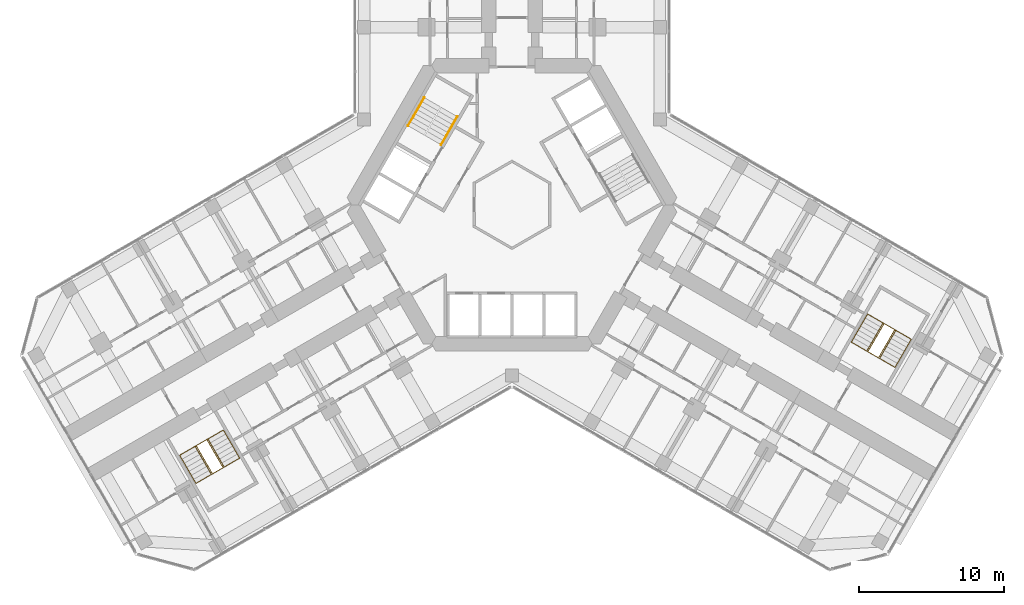
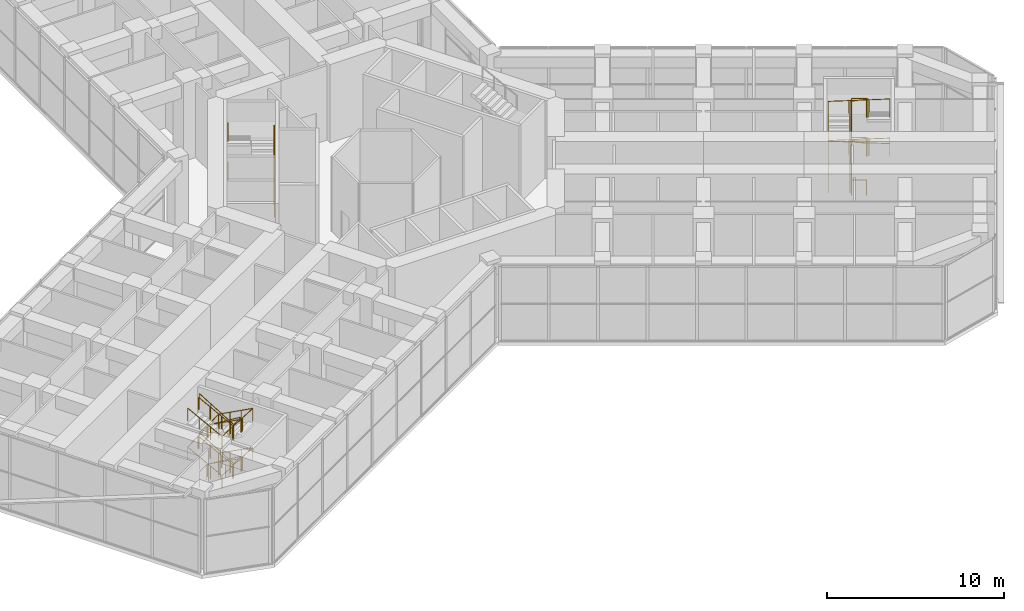
# One storey, part 22 of 23: 10 railings.
"""IFC4 building model written with IfcOpenShell, lengths in metres."""

from ifc_helpers import new_model, si_unit, direction, frame, origin, origin_2d, place, context, subcontext, project, spatial, circle, extrude, material, type_object, element, save


model = new_model("IFC4")

# Units and contexts
model_context = context("Model", 3, precision=1e-05, world=origin(), true_north=direction((0.0, 1.0)))
body_context = subcontext(model_context, "Body", "Model", "MODEL_VIEW")
ifc_project = project(units=[si_unit("LENGTHUNIT", "METRE"), si_unit("AREAUNIT", "SQUARE_METRE"), si_unit("VOLUMEUNIT", "CUBIC_METRE"), si_unit("PLANEANGLEUNIT", "RADIAN"), si_unit("MASSUNIT", "GRAM", prefix="KILO")], contexts=[model_context])

# Site, building, storey
site_placement = place(None, origin())
site = spatial("IfcSite", under=ifc_project, at=site_placement, CompositionType="ELEMENT")
building_placement = place(site_placement, origin())
building = spatial("IfcBuilding", under=site, at=building_placement, Name="Kosmar Iwan School Tower", CompositionType="ELEMENT")
storey_placement = place(building_placement, frame((0.0, 0.0, 75.39990234375)))
storey = spatial("IfcBuildingStorey", under=building, at=storey_placement, Name="L18", CompositionType="ELEMENT", Elevation=75.39990234375)

# Railings
ifc_material_1 = material(Name="Black steel", Category="steel")
railing_type_1 = type_object("IfcRailingType", Name="Stair handrail 900", PredefinedType="HANDRAIL", material=ifc_material_1)
railing_1_placement = place(storey_placement, frame((-4.89453125, 4.142333984375, 0.1689453125)))
element("IfcRailing", 1, at=railing_1_placement, inside=storey, type_object=railing_type_1, Name="Handrail ST2 flight 1", PredefinedType="HANDRAIL", context=body_context, shape_type="SweptSolid", body=[
    extrude(circle(Radius=0.02392578125, at=origin_2d()), frame((0.0, 0.0, 0.8759765625), z_axis=(0.442233264315, 0.766074889524, 0.466432206836), x_axis=(-0.866054910533, 0.49994888933, 0.0)), (0.0, 0.0, 1.0), 2.5322265625),
    extrude(circle(Radius=0.02099609375, at=origin_2d()), origin(), (0.0, 0.0, 1.0), 0.851806640625),
    extrude(circle(Radius=0.02099609375, at=origin_2d()), frame((0.373291015625, 0.646728515625, 0.393798828125)), (0.0, 0.0, 1.0), 0.851806640625),
    extrude(circle(Radius=0.02099609375, at=origin_2d()), frame((0.74658203125, 1.293212890625, 0.787353515625)), (0.0, 0.0, 1.0), 0.851806640625),
    extrude(circle(Radius=0.02099609375, at=origin_2d()), frame((1.119873046875, 1.93994140625, 1.18115234375)), (0.0, 0.0, 1.0), 0.851806640625),
])
railing_2_placement = place(storey_placement, frame((-6.05224609375, 7.397216796875, 1.518798828125)))
element("IfcRailing", 2, at=railing_2_placement, inside=storey, type_object=railing_type_1, Name="Handrail ST2 flight 2", PredefinedType="HANDRAIL", context=body_context, shape_type="SweptSolid", body=[
    extrude(circle(Radius=0.02392578125, at=origin_2d()), frame((0.0, 0.0, 0.8759765625), z_axis=(-0.442290925331, -0.766007779573, 0.466487747968), x_axis=(0.866007717299, -0.500030632641, 0.0)), (0.0, 0.0, 1.0), 2.532470703125),
    extrude(circle(Radius=0.02099609375, at=origin_2d()), origin(), (0.0, 0.0, 1.0), 0.851806640625),
    extrude(circle(Radius=0.02099609375, at=origin_2d()), frame((-0.373291015625, -0.646728515625, 0.393798828125)), (0.0, 0.0, 1.0), 0.851806640625),
    extrude(circle(Radius=0.02099609375, at=origin_2d()), frame((-0.746826171875, -1.293212890625, 0.78759765625)), (0.0, 0.0, 1.0), 0.851806640625),
    extrude(circle(Radius=0.02099609375, at=origin_2d()), frame((-1.1201171875, -1.93994140625, 1.181396484375)), (0.0, 0.0, 1.0), 0.851806640625),
])
railing_3_placement = place(storey_placement, frame((-4.89453125, 4.142333984375, 2.868896484375)))
element("IfcRailing", 3, at=railing_3_placement, inside=storey, type_object=railing_type_1, Name="Handrail ST2 flight 3", PredefinedType="HANDRAIL", context=body_context, shape_type="SweptSolid", body=[
    extrude(circle(Radius=0.02392578125, at=origin_2d()), frame((0.0, 0.0, 0.8759765625), z_axis=(0.442233264315, 0.766074889524, 0.466432206836), x_axis=(-0.866054910533, 0.49994888933, 0.0)), (0.0, 0.0, 1.0), 2.5322265625),
    extrude(circle(Radius=0.02099609375, at=origin_2d()), origin(), (0.0, 0.0, 1.0), 0.851806640625),
    extrude(circle(Radius=0.02099609375, at=origin_2d()), frame((0.373291015625, 0.646728515625, 0.393798828125)), (0.0, 0.0, 1.0), 0.851806640625),
    extrude(circle(Radius=0.02099609375, at=origin_2d()), frame((0.74658203125, 1.293212890625, 0.787353515625)), (0.0, 0.0, 1.0), 0.851806640625),
    extrude(circle(Radius=0.02099609375, at=origin_2d()), frame((1.119873046875, 1.93994140625, 1.18115234375)), (0.0, 0.0, 1.0), 0.851806640625),
])
railing_4_placement = place(storey_placement, frame((-6.05224609375, 7.397216796875, 4.21875)))
element("IfcRailing", 4, at=railing_4_placement, inside=storey, type_object=railing_type_1, Name="Handrail ST2 flight 4", PredefinedType="HANDRAIL", context=body_context, shape_type="SweptSolid", body=[
    extrude(circle(Radius=0.02392578125, at=origin_2d()), frame((0.0, 0.0, 0.8759765625), z_axis=(-0.442290925331, -0.766007779573, 0.466487747968), x_axis=(0.866007717299, -0.500030632641, 0.0)), (0.0, 0.0, 1.0), 2.532470703125),
    extrude(circle(Radius=0.02099609375, at=origin_2d()), origin(), (0.0, 0.0, 1.0), 0.851806640625),
    extrude(circle(Radius=0.02099609375, at=origin_2d()), frame((-0.373291015625, -0.646728515625, 0.393798828125)), (0.0, 0.0, 1.0), 0.851806640625),
    extrude(circle(Radius=0.02099609375, at=origin_2d()), frame((-0.746826171875, -1.293212890625, 0.78759765625)), (0.0, 0.0, 1.0), 0.851806640625),
    extrude(circle(Radius=0.02099609375, at=origin_2d()), frame((-1.1201171875, -1.93994140625, 1.181396484375)), (0.0, 0.0, 1.0), 0.851806640625),
])
railing_5_placement = place(storey_placement, frame((-19.9091796875, -15.5361328125, 0.1689453125)))
element("IfcRailing", 5, at=railing_5_placement, inside=storey, type_object=railing_type_1, Name="Handrail stair WS2 L18 wall side", PredefinedType="HANDRAIL", context=body_context, shape_type="SweptSolid", body=[
    extrude(circle(Radius=0.02392578125, at=origin_2d()), frame((0.0, 0.0, 0.8759765625), z_axis=(0.442233264315, -0.766074889524, 0.466432206836), x_axis=(0.866054910533, 0.49994888933, 0.0)), (0.0, 0.0, 1.0), 2.5322265625),
    extrude(circle(Radius=0.02392578125, at=origin_2d()), frame((1.119873046875, -1.93994140625, 2.05712890625), z_axis=(-0.865003826348, -0.499423385482, 0.048421714518), x_axis=(0.500009906705, -0.86601968407, 0.0)), (0.0, 0.0, 1.0), 3.48388671875),
    extrude(circle(Radius=0.02392578125, at=origin_2d()), frame((-1.893798828125, -3.679931640625, 2.2255859375), z_axis=(-0.442290925331, 0.766007779573, 0.466487747968), x_axis=(-0.866007717299, -0.500030632641, 0.0)), (0.0, 0.0, 1.0), 2.532470703125),
    extrude(circle(Radius=0.02392578125, at=origin_2d()), frame((-3.013916015625, -1.739990234375, 3.4072265625), z_axis=(0.865021467373, 0.499393114457, 0.048418779583), x_axis=(-0.499979528911, 0.866037222451, 0.0)), (0.0, 0.0, 1.0), 3.484130859375),
    extrude(circle(Radius=0.02392578125, at=origin_2d()), frame((0.0, 0.0, 3.57568359375), z_axis=(0.442233264315, -0.766074889524, 0.466432206836), x_axis=(0.866054910533, 0.49994888933, 0.0)), (0.0, 0.0, 1.0), 2.5322265625),
    extrude(circle(Radius=0.02392578125, at=origin_2d()), frame((1.119873046875, -1.93994140625, 4.7568359375), z_axis=(-0.865003826348, -0.499423385482, 0.048421714518), x_axis=(0.500009906705, -0.86601968407, 0.0)), (0.0, 0.0, 1.0), 3.48388671875),
    extrude(circle(Radius=0.02392578125, at=origin_2d()), frame((-1.893798828125, -3.679931640625, 4.92578125), z_axis=(-0.442290925331, 0.766007779573, 0.466487747968), x_axis=(-0.866007717299, -0.500030632641, 0.0)), (0.0, 0.0, 1.0), 2.532470703125),
    extrude(circle(Radius=0.02099609375, at=origin_2d()), origin(), (0.0, 0.0, 1.0), 0.851806640625),
    extrude(circle(Radius=0.02099609375, at=origin_2d()), frame((0.373291015625, -0.646728515625, 0.393798828125)), (0.0, 0.0, 1.0), 0.851806640625),
    extrude(circle(Radius=0.02099609375, at=origin_2d()), frame((0.74658203125, -1.293212890625, 0.787353515625)), (0.0, 0.0, 1.0), 0.851806640625),
    extrude(circle(Radius=0.02099609375, at=origin_2d()), frame((1.119873046875, -1.93994140625, 1.18115234375)), (0.0, 0.0, 1.0), 0.851806640625),
    extrude(circle(Radius=0.02099609375, at=origin_2d()), frame((0.115234375, -2.52001953125, 1.2373046875)), (0.0, 0.0, 1.0), 0.851806640625),
    extrude(circle(Radius=0.02099609375, at=origin_2d()), frame((-0.88916015625, -3.099853515625, 1.293701171875)), (0.0, 0.0, 1.0), 0.851806640625),
    extrude(circle(Radius=0.02099609375, at=origin_2d()), frame((-1.893798828125, -3.679931640625, 1.349853515625)), (0.0, 0.0, 1.0), 0.851806640625),
    extrude(circle(Radius=0.02099609375, at=origin_2d()), frame((-2.26708984375, -3.033203125, 1.74365234375)), (0.0, 0.0, 1.0), 0.851806640625),
    extrude(circle(Radius=0.02099609375, at=origin_2d()), frame((-2.640625, -2.38671875, 2.137451171875)), (0.0, 0.0, 1.0), 0.851806640625),
    extrude(circle(Radius=0.02099609375, at=origin_2d()), frame((-3.013916015625, -1.739990234375, 2.53125)), (0.0, 0.0, 1.0), 0.851806640625),
    extrude(circle(Radius=0.02099609375, at=origin_2d()), frame((-2.00927734375, -1.159912109375, 2.58740234375)), (0.0, 0.0, 1.0), 0.851806640625),
    extrude(circle(Radius=0.02099609375, at=origin_2d()), frame((-1.004638671875, -0.580078125, 2.643798828125)), (0.0, 0.0, 1.0), 0.851806640625),
    extrude(circle(Radius=0.02099609375, at=origin_2d()), frame((0.0, 0.0, 2.699951171875)), (0.0, 0.0, 1.0), 0.851806640625),
    extrude(circle(Radius=0.02099609375, at=origin_2d()), frame((0.373291015625, -0.646728515625, 3.09375)), (0.0, 0.0, 1.0), 0.851806640625),
    extrude(circle(Radius=0.02099609375, at=origin_2d()), frame((0.74658203125, -1.293212890625, 3.4873046875)), (0.0, 0.0, 1.0), 0.851806640625),
    extrude(circle(Radius=0.02099609375, at=origin_2d()), frame((1.119873046875, -1.93994140625, 3.881103515625)), (0.0, 0.0, 1.0), 0.851806640625),
    extrude(circle(Radius=0.02099609375, at=origin_2d()), frame((0.115234375, -2.52001953125, 3.937255859375)), (0.0, 0.0, 1.0), 0.851806640625),
    extrude(circle(Radius=0.02099609375, at=origin_2d()), frame((-0.88916015625, -3.099853515625, 3.99365234375)), (0.0, 0.0, 1.0), 0.851806640625),
    extrude(circle(Radius=0.02099609375, at=origin_2d()), frame((-1.893798828125, -3.679931640625, 4.0498046875)), (0.0, 0.0, 1.0), 0.851806640625),
    extrude(circle(Radius=0.02099609375, at=origin_2d()), frame((-2.26708984375, -3.033203125, 4.443603515625)), (0.0, 0.0, 1.0), 0.851806640625),
    extrude(circle(Radius=0.02099609375, at=origin_2d()), frame((-2.640625, -2.38671875, 4.83740234375)), (0.0, 0.0, 1.0), 0.851806640625),
    extrude(circle(Radius=0.02099609375, at=origin_2d()), frame((-3.013916015625, -1.739990234375, 5.231201171875)), (0.0, 0.0, 1.0), 0.851806640625),
])
railing_6_placement = place(storey_placement, frame((-20.974609375, -16.151123046875, 0.1689453125)))
element("IfcRailing", 6, at=railing_6_placement, inside=storey, type_object=railing_type_1, Name="Handrail stair WS2 L18 well side", PredefinedType="HANDRAIL", context=body_context, shape_type="SweptSolid", body=[
    extrude(circle(Radius=0.02392578125, at=origin_2d()), frame((0.0, 0.0, 0.8759765625), z_axis=(0.442310814531, -0.766042225863, 0.466412319246), x_axis=(0.866007717299, 0.500030632641, 0.0)), (0.0, 0.0, 1.0), 2.532470703125),
    extrude(circle(Radius=0.02392578125, at=origin_2d()), frame((1.1201171875, -1.93994140625, 2.05712890625), z_axis=(-0.854402202795, -0.493323991608, 0.163181846913), x_axis=(0.500026340207, -0.866010195725, 0.0)), (0.0, 0.0, 1.0), 1.033935546875),
    extrude(circle(Radius=0.02392578125, at=origin_2d()), frame((0.23681640625, -2.449951171875, 2.2255859375), z_axis=(-0.442290925331, 0.766007779573, 0.466487747968), x_axis=(-0.866007717299, -0.500030632641, 0.0)), (0.0, 0.0, 1.0), 2.532470703125),
    extrude(circle(Radius=0.02392578125, at=origin_2d()), frame((-0.88330078125, -0.510009765625, 3.4072265625), z_axis=(0.854402202795, 0.493323991608, 0.163181846913), x_axis=(-0.500026340207, 0.866010195725, 0.0)), (0.0, 0.0, 1.0), 1.033935546875),
    extrude(circle(Radius=0.02392578125, at=origin_2d()), frame((0.0, 0.0, 3.57568359375), z_axis=(0.442310814531, -0.766042225863, 0.466412319246), x_axis=(0.866007717299, 0.500030632641, 0.0)), (0.0, 0.0, 1.0), 2.532470703125),
    extrude(circle(Radius=0.02392578125, at=origin_2d()), frame((1.1201171875, -1.93994140625, 4.7568359375), z_axis=(-0.854402202795, -0.493323991608, 0.163181846913), x_axis=(0.500026340207, -0.866010195725, 0.0)), (0.0, 0.0, 1.0), 1.033935546875),
    extrude(circle(Radius=0.02392578125, at=origin_2d()), frame((0.23681640625, -2.449951171875, 4.92578125), z_axis=(-0.442290925331, 0.766007779573, 0.466487747968), x_axis=(-0.866007717299, -0.500030632641, 0.0)), (0.0, 0.0, 1.0), 2.532470703125),
    extrude(circle(Radius=0.02099609375, at=origin_2d()), origin(), (0.0, 0.0, 1.0), 0.851806640625),
    extrude(circle(Radius=0.02099609375, at=origin_2d()), frame((0.373291015625, -0.646728515625, 0.393798828125)), (0.0, 0.0, 1.0), 0.851806640625),
    extrude(circle(Radius=0.02099609375, at=origin_2d()), frame((0.746826171875, -1.293212890625, 0.787353515625)), (0.0, 0.0, 1.0), 0.851806640625),
    extrude(circle(Radius=0.02099609375, at=origin_2d()), frame((1.1201171875, -1.93994140625, 1.18115234375)), (0.0, 0.0, 1.0), 0.851806640625),
    extrude(circle(Radius=0.02099609375, at=origin_2d()), frame((0.23681640625, -2.449951171875, 1.349853515625)), (0.0, 0.0, 1.0), 0.851806640625),
    extrude(circle(Radius=0.02099609375, at=origin_2d()), frame((-0.136474609375, -1.80322265625, 1.74365234375)), (0.0, 0.0, 1.0), 0.851806640625),
    extrude(circle(Radius=0.02099609375, at=origin_2d()), frame((-0.510009765625, -1.15673828125, 2.137451171875)), (0.0, 0.0, 1.0), 0.851806640625),
    extrude(circle(Radius=0.02099609375, at=origin_2d()), frame((-0.88330078125, -0.510009765625, 2.53125)), (0.0, 0.0, 1.0), 0.851806640625),
    extrude(circle(Radius=0.02099609375, at=origin_2d()), frame((0.0, 0.0, 2.699951171875)), (0.0, 0.0, 1.0), 0.851806640625),
    extrude(circle(Radius=0.02099609375, at=origin_2d()), frame((0.373291015625, -0.646728515625, 3.09375)), (0.0, 0.0, 1.0), 0.851806640625),
    extrude(circle(Radius=0.02099609375, at=origin_2d()), frame((0.746826171875, -1.293212890625, 3.4873046875)), (0.0, 0.0, 1.0), 0.851806640625),
    extrude(circle(Radius=0.02099609375, at=origin_2d()), frame((1.1201171875, -1.93994140625, 3.881103515625)), (0.0, 0.0, 1.0), 0.851806640625),
    extrude(circle(Radius=0.02099609375, at=origin_2d()), frame((0.23681640625, -2.449951171875, 4.0498046875)), (0.0, 0.0, 1.0), 0.851806640625),
    extrude(circle(Radius=0.02099609375, at=origin_2d()), frame((-0.136474609375, -1.80322265625, 4.443603515625)), (0.0, 0.0, 1.0), 0.851806640625),
    extrude(circle(Radius=0.02099609375, at=origin_2d()), frame((-0.510009765625, -1.15673828125, 4.83740234375)), (0.0, 0.0, 1.0), 0.851806640625),
    extrude(circle(Radius=0.02099609375, at=origin_2d()), frame((-0.88330078125, -0.510009765625, 5.231201171875)), (0.0, 0.0, 1.0), 0.851806640625),
])
railing_7_placement = place(storey_placement, frame((23.4091796875, -9.473876953125, 0.1689453125)))
element("IfcRailing", 7, at=railing_7_placement, inside=storey, type_object=railing_type_1, Name="Handrail stair WS3 L18 wall side", PredefinedType="HANDRAIL", context=body_context, shape_type="SweptSolid", body=[
    extrude(circle(Radius=0.02392578125, at=origin_2d()), frame((0.0, 0.0, 0.8759765625), z_axis=(0.442310814531, 0.766042225863, 0.466412319246), x_axis=(-0.866007717299, 0.500030632641, 0.0)), (0.0, 0.0, 1.0), 2.532470703125),
    extrude(circle(Radius=0.02392578125, at=origin_2d()), frame((1.1201171875, 1.93994140625, 2.05712890625), z_axis=(0.865003826348, -0.499423385482, 0.048421714518), x_axis=(0.500009906705, 0.86601968407, 0.0)), (0.0, 0.0, 1.0), 3.48388671875),
    extrude(circle(Radius=0.02392578125, at=origin_2d()), frame((4.1337890625, 0.199951171875, 2.2255859375), z_axis=(-0.442213376907, -0.766040438827, 0.466507636985), x_axis=(0.866054910533, -0.49994888933, 0.0)), (0.0, 0.0, 1.0), 2.532470703125),
    extrude(circle(Radius=0.02392578125, at=origin_2d()), frame((3.013916015625, -1.739990234375, 3.4072265625), z_axis=(-0.865021467373, 0.499393114457, 0.048418779583), x_axis=(-0.499979528911, -0.866037222451, 0.0)), (0.0, 0.0, 1.0), 3.484130859375),
    extrude(circle(Radius=0.02392578125, at=origin_2d()), frame((0.0, 0.0, 3.57568359375), z_axis=(0.442310814531, 0.766042225863, 0.466412319246), x_axis=(-0.866007717299, 0.500030632641, 0.0)), (0.0, 0.0, 1.0), 2.532470703125),
    extrude(circle(Radius=0.02392578125, at=origin_2d()), frame((1.1201171875, 1.93994140625, 4.7568359375), z_axis=(0.865003826348, -0.499423385482, 0.048421714518), x_axis=(0.500009906705, 0.86601968407, 0.0)), (0.0, 0.0, 1.0), 3.48388671875),
    extrude(circle(Radius=0.02392578125, at=origin_2d()), frame((4.1337890625, 0.199951171875, 4.92578125), z_axis=(-0.442213376907, -0.766040438827, 0.466507636985), x_axis=(0.866054910533, -0.49994888933, 0.0)), (0.0, 0.0, 1.0), 2.532470703125),
    extrude(circle(Radius=0.02099609375, at=origin_2d()), origin(), (0.0, 0.0, 1.0), 0.851806640625),
    extrude(circle(Radius=0.02099609375, at=origin_2d()), frame((0.373291015625, 0.646728515625, 0.393798828125)), (0.0, 0.0, 1.0), 0.851806640625),
    extrude(circle(Radius=0.02099609375, at=origin_2d()), frame((0.746826171875, 1.293212890625, 0.787353515625)), (0.0, 0.0, 1.0), 0.851806640625),
    extrude(circle(Radius=0.02099609375, at=origin_2d()), frame((1.1201171875, 1.93994140625, 1.18115234375)), (0.0, 0.0, 1.0), 0.851806640625),
    extrude(circle(Radius=0.02099609375, at=origin_2d()), frame((2.124755859375, 1.35986328125, 1.2373046875)), (0.0, 0.0, 1.0), 0.851806640625),
    extrude(circle(Radius=0.02099609375, at=origin_2d()), frame((3.129150390625, 0.780029296875, 1.293701171875)), (0.0, 0.0, 1.0), 0.851806640625),
    extrude(circle(Radius=0.02099609375, at=origin_2d()), frame((4.1337890625, 0.199951171875, 1.349853515625)), (0.0, 0.0, 1.0), 0.851806640625),
    extrude(circle(Radius=0.02099609375, at=origin_2d()), frame((3.760498046875, -0.44677734375, 1.74365234375)), (0.0, 0.0, 1.0), 0.851806640625),
    extrude(circle(Radius=0.02099609375, at=origin_2d()), frame((3.38720703125, -1.09326171875, 2.137451171875)), (0.0, 0.0, 1.0), 0.851806640625),
    extrude(circle(Radius=0.02099609375, at=origin_2d()), frame((3.013916015625, -1.739990234375, 2.53125)), (0.0, 0.0, 1.0), 0.851806640625),
    extrude(circle(Radius=0.02099609375, at=origin_2d()), frame((2.00927734375, -1.159912109375, 2.58740234375)), (0.0, 0.0, 1.0), 0.851806640625),
    extrude(circle(Radius=0.02099609375, at=origin_2d()), frame((1.004638671875, -0.580078125, 2.643798828125)), (0.0, 0.0, 1.0), 0.851806640625),
    extrude(circle(Radius=0.02099609375, at=origin_2d()), frame((0.0, 0.0, 2.699951171875)), (0.0, 0.0, 1.0), 0.851806640625),
    extrude(circle(Radius=0.02099609375, at=origin_2d()), frame((0.373291015625, 0.646728515625, 3.09375)), (0.0, 0.0, 1.0), 0.851806640625),
    extrude(circle(Radius=0.02099609375, at=origin_2d()), frame((0.746826171875, 1.293212890625, 3.4873046875)), (0.0, 0.0, 1.0), 0.851806640625),
    extrude(circle(Radius=0.02099609375, at=origin_2d()), frame((1.1201171875, 1.93994140625, 3.881103515625)), (0.0, 0.0, 1.0), 0.851806640625),
    extrude(circle(Radius=0.02099609375, at=origin_2d()), frame((2.124755859375, 1.35986328125, 3.937255859375)), (0.0, 0.0, 1.0), 0.851806640625),
    extrude(circle(Radius=0.02099609375, at=origin_2d()), frame((3.129150390625, 0.780029296875, 3.99365234375)), (0.0, 0.0, 1.0), 0.851806640625),
    extrude(circle(Radius=0.02099609375, at=origin_2d()), frame((4.1337890625, 0.199951171875, 4.0498046875)), (0.0, 0.0, 1.0), 0.851806640625),
    extrude(circle(Radius=0.02099609375, at=origin_2d()), frame((3.760498046875, -0.44677734375, 4.443603515625)), (0.0, 0.0, 1.0), 0.851806640625),
    extrude(circle(Radius=0.02099609375, at=origin_2d()), frame((3.38720703125, -1.09326171875, 4.83740234375)), (0.0, 0.0, 1.0), 0.851806640625),
    extrude(circle(Radius=0.02099609375, at=origin_2d()), frame((3.013916015625, -1.739990234375, 5.231201171875)), (0.0, 0.0, 1.0), 0.851806640625),
])
railing_8_placement = place(storey_placement, frame((24.474609375, -10.0888671875, 0.1689453125)))
element("IfcRailing", 8, at=railing_8_placement, inside=storey, type_object=railing_type_1, Name="Handrail stair WS3 L18 well side", PredefinedType="HANDRAIL", context=body_context, shape_type="SweptSolid", body=[
    extrude(circle(Radius=0.02392578125, at=origin_2d()), frame((0.0, 0.0, 0.8759765625), z_axis=(0.442233264315, 0.766074889524, 0.466432206836), x_axis=(-0.866054910533, 0.49994888933, 0.0)), (0.0, 0.0, 1.0), 2.5322265625),
    extrude(circle(Radius=0.02392578125, at=origin_2d()), frame((1.119873046875, 1.93994140625, 2.05712890625), z_axis=(0.854402202795, -0.493323991608, 0.163181846913), x_axis=(0.500026340207, 0.866010195725, 0.0)), (0.0, 0.0, 1.0), 1.033935546875),
    extrude(circle(Radius=0.02392578125, at=origin_2d()), frame((2.003173828125, 1.429931640625, 2.2255859375), z_axis=(-0.442213376907, -0.766040438827, 0.466507636985), x_axis=(0.866054910533, -0.49994888933, 0.0)), (0.0, 0.0, 1.0), 2.532470703125),
    extrude(circle(Radius=0.02392578125, at=origin_2d()), frame((0.88330078125, -0.510009765625, 3.4072265625), z_axis=(-0.854402202795, 0.493323991608, 0.163181846913), x_axis=(-0.500026340207, -0.866010195725, 0.0)), (0.0, 0.0, 1.0), 1.033935546875),
    extrude(circle(Radius=0.02392578125, at=origin_2d()), frame((0.0, 0.0, 3.57568359375), z_axis=(0.442233264315, 0.766074889524, 0.466432206836), x_axis=(-0.866054910533, 0.49994888933, 0.0)), (0.0, 0.0, 1.0), 2.5322265625),
    extrude(circle(Radius=0.02392578125, at=origin_2d()), frame((1.119873046875, 1.93994140625, 4.7568359375), z_axis=(0.854402202795, -0.493323991608, 0.163181846913), x_axis=(0.500026340207, 0.866010195725, 0.0)), (0.0, 0.0, 1.0), 1.033935546875),
    extrude(circle(Radius=0.02392578125, at=origin_2d()), frame((2.003173828125, 1.429931640625, 4.92578125), z_axis=(-0.442213376907, -0.766040438827, 0.466507636985), x_axis=(0.866054910533, -0.49994888933, 0.0)), (0.0, 0.0, 1.0), 2.532470703125),
    extrude(circle(Radius=0.02099609375, at=origin_2d()), origin(), (0.0, 0.0, 1.0), 0.851806640625),
    extrude(circle(Radius=0.02099609375, at=origin_2d()), frame((0.373291015625, 0.646728515625, 0.393798828125)), (0.0, 0.0, 1.0), 0.851806640625),
    extrude(circle(Radius=0.02099609375, at=origin_2d()), frame((0.74658203125, 1.293212890625, 0.787353515625)), (0.0, 0.0, 1.0), 0.851806640625),
    extrude(circle(Radius=0.02099609375, at=origin_2d()), frame((1.119873046875, 1.93994140625, 1.18115234375)), (0.0, 0.0, 1.0), 0.851806640625),
    extrude(circle(Radius=0.02099609375, at=origin_2d()), frame((2.003173828125, 1.429931640625, 1.349853515625)), (0.0, 0.0, 1.0), 0.851806640625),
    extrude(circle(Radius=0.02099609375, at=origin_2d()), frame((1.6298828125, 0.783203125, 1.74365234375)), (0.0, 0.0, 1.0), 0.851806640625),
    extrude(circle(Radius=0.02099609375, at=origin_2d()), frame((1.256591796875, 0.13671875, 2.137451171875)), (0.0, 0.0, 1.0), 0.851806640625),
    extrude(circle(Radius=0.02099609375, at=origin_2d()), frame((0.88330078125, -0.510009765625, 2.53125)), (0.0, 0.0, 1.0), 0.851806640625),
    extrude(circle(Radius=0.02099609375, at=origin_2d()), frame((0.0, 0.0, 2.699951171875)), (0.0, 0.0, 1.0), 0.851806640625),
    extrude(circle(Radius=0.02099609375, at=origin_2d()), frame((0.373291015625, 0.646728515625, 3.09375)), (0.0, 0.0, 1.0), 0.851806640625),
    extrude(circle(Radius=0.02099609375, at=origin_2d()), frame((0.74658203125, 1.293212890625, 3.4873046875)), (0.0, 0.0, 1.0), 0.851806640625),
    extrude(circle(Radius=0.02099609375, at=origin_2d()), frame((1.119873046875, 1.93994140625, 3.881103515625)), (0.0, 0.0, 1.0), 0.851806640625),
    extrude(circle(Radius=0.02099609375, at=origin_2d()), frame((2.003173828125, 1.429931640625, 4.0498046875)), (0.0, 0.0, 1.0), 0.851806640625),
    extrude(circle(Radius=0.02099609375, at=origin_2d()), frame((1.6298828125, 0.783203125, 4.443603515625)), (0.0, 0.0, 1.0), 0.851806640625),
    extrude(circle(Radius=0.02099609375, at=origin_2d()), frame((1.256591796875, 0.13671875, 4.83740234375)), (0.0, 0.0, 1.0), 0.851806640625),
    extrude(circle(Radius=0.02099609375, at=origin_2d()), frame((0.88330078125, -0.510009765625, 5.231201171875)), (0.0, 0.0, 1.0), 0.851806640625),
])
ifc_material_2 = material(Name="Black steel", Category="steel")
railing_type_2 = type_object("IfcRailingType", Name="Stair well guard 1100", PredefinedType="GUARDRAIL", material=ifc_material_2)
railing_9_placement = place(storey_placement, frame((-21.780029296875, -16.6162109375, 0.0)))
element("IfcRailing", 9, at=railing_9_placement, inside=storey, type_object=railing_type_2, Name="Stair WS2 L18 well guard", PredefinedType="GUARDRAIL", context=body_context, shape_type="SweptSolid", body=[
    extrude(circle(Radius=0.02392578125, at=origin_2d()), frame((0.0, 0.0, 1.076171875), z_axis=(0.865962960534, 0.500108139288, 0.0), x_axis=(-0.500108139288, 0.865962960534, 0.0)), (0.0, 0.0, 1.0), 0.840087890625),
    extrude(circle(Radius=0.02392578125, at=origin_2d()), frame((0.7275390625, 0.420166015625, 1.076171875), z_axis=(0.428262502975, -0.741711824028, 0.516192598399), x_axis=(0.866007717299, 0.500030632641, 0.0)), (0.0, 0.0, 1.0), 2.615478515625),
    extrude(circle(Radius=0.02392578125, at=origin_2d()), frame((1.84765625, -1.519775390625, 2.42626953125), z_axis=(-0.866088799389, -0.499890179513, 0.0), x_axis=(0.499890179513, -0.866088799389, 0.0)), (0.0, 0.0, 1.0), 0.840087890625),
    extrude(circle(Radius=0.02392578125, at=origin_2d()), frame((1.1201171875, -1.939697265625, 2.42626953125), z_axis=(-0.42829215468, 0.741669827579, 0.516228338139), x_axis=(-0.865980463445, -0.500077830873, 0.0)), (0.0, 0.0, 1.0), 2.615234375),
    extrude(circle(Radius=0.02392578125, at=origin_2d()), frame((0.0, 0.0, 3.7763671875), z_axis=(0.865962960534, 0.500108139288, 0.0), x_axis=(-0.500108139288, 0.865962960534, 0.0)), (0.0, 0.0, 1.0), 0.840087890625),
    extrude(circle(Radius=0.02392578125, at=origin_2d()), frame((0.7275390625, 0.420166015625, 3.7763671875), z_axis=(0.428283137791, -0.741747561657, 0.51612412137), x_axis=(0.866007717299, 0.500030632641, 0.0)), (0.0, 0.0, 1.0), 2.615478515625),
    extrude(circle(Radius=0.02392578125, at=origin_2d()), frame((1.84765625, -1.519775390625, 5.1259765625), z_axis=(-0.866088799389, -0.499890179513, 0.0), x_axis=(0.499890179513, -0.866088799389, 0.0)), (0.0, 0.0, 1.0), 0.840087890625),
    extrude(circle(Radius=0.02392578125, at=origin_2d()), frame((1.1201171875, -1.939697265625, 5.1259765625), z_axis=(-0.42829215468, 0.741669827579, 0.516228338139), x_axis=(-0.865980463445, -0.500077830873, 0.0)), (0.0, 0.0, 1.0), 2.615234375),
    extrude(circle(Radius=0.02099609375, at=origin_2d()), origin(), (0.0, 0.0, 1.0), 1.052001953125),
    extrude(circle(Radius=0.02099609375, at=origin_2d()), frame((0.7275390625, 0.420166015625, 0.0)), (0.0, 0.0, 1.0), 1.052001953125),
    extrude(circle(Radius=0.02099609375, at=origin_2d()), frame((1.100830078125, -0.2265625, 0.449951171875)), (0.0, 0.0, 1.0), 1.052001953125),
    extrude(circle(Radius=0.02099609375, at=origin_2d()), frame((1.474365234375, -0.873046875, 0.900146484375)), (0.0, 0.0, 1.0), 1.052001953125),
    extrude(circle(Radius=0.02099609375, at=origin_2d()), frame((1.84765625, -1.519775390625, 1.35009765625)), (0.0, 0.0, 1.0), 1.052001953125),
    extrude(circle(Radius=0.02099609375, at=origin_2d()), frame((1.1201171875, -1.939697265625, 1.35009765625)), (0.0, 0.0, 1.0), 1.052001953125),
    extrude(circle(Radius=0.02099609375, at=origin_2d()), frame((0.746826171875, -1.293212890625, 1.800048828125)), (0.0, 0.0, 1.0), 1.052001953125),
    extrude(circle(Radius=0.02099609375, at=origin_2d()), frame((0.373291015625, -0.646484375, 2.250244140625)), (0.0, 0.0, 1.0), 1.052001953125),
    extrude(circle(Radius=0.02099609375, at=origin_2d()), frame((0.0, 0.0, 2.7001953125)), (0.0, 0.0, 1.0), 1.052001953125),
    extrude(circle(Radius=0.02099609375, at=origin_2d()), frame((0.7275390625, 0.420166015625, 2.7001953125)), (0.0, 0.0, 1.0), 1.052001953125),
    extrude(circle(Radius=0.02099609375, at=origin_2d()), frame((1.100830078125, -0.2265625, 3.150146484375)), (0.0, 0.0, 1.0), 1.052001953125),
    extrude(circle(Radius=0.02099609375, at=origin_2d()), frame((1.474365234375, -0.873046875, 3.60009765625)), (0.0, 0.0, 1.0), 1.052001953125),
    extrude(circle(Radius=0.02099609375, at=origin_2d()), frame((1.84765625, -1.519775390625, 4.050048828125)), (0.0, 0.0, 1.0), 1.052001953125),
    extrude(circle(Radius=0.02099609375, at=origin_2d()), frame((1.1201171875, -1.939697265625, 4.050048828125)), (0.0, 0.0, 1.0), 1.052001953125),
    extrude(circle(Radius=0.02099609375, at=origin_2d()), frame((0.746826171875, -1.293212890625, 4.5)), (0.0, 0.0, 1.0), 1.052001953125),
    extrude(circle(Radius=0.02099609375, at=origin_2d()), frame((0.373291015625, -0.646484375, 4.9501953125)), (0.0, 0.0, 1.0), 1.052001953125),
    extrude(circle(Radius=0.02099609375, at=origin_2d()), frame((0.0, 0.0, 5.400146484375)), (0.0, 0.0, 1.0), 1.052001953125),
])
railing_10_placement = place(storey_placement, frame((25.280029296875, -10.553955078125, 0.0)))
element("IfcRailing", 10, at=railing_10_placement, inside=storey, type_object=railing_type_2, Name="Stair WS3 L18 well guard", PredefinedType="GUARDRAIL", context=body_context, shape_type="SweptSolid", body=[
    extrude(circle(Radius=0.02392578125, at=origin_2d()), frame((0.0, 0.0, 1.076171875), z_axis=(-0.865962960534, 0.500108139288, 0.0), x_axis=(-0.500108139288, -0.865962960534, 0.0)), (0.0, 0.0, 1.0), 0.840087890625),
    extrude(circle(Radius=0.02392578125, at=origin_2d()), frame((-0.7275390625, 0.420166015625, 1.076171875), z_axis=(0.428215923269, 0.741699479044, 0.516248976603), x_axis=(-0.866027664105, 0.49999608499, 0.0)), (0.0, 0.0, 1.0), 2.615234375),
    extrude(circle(Radius=0.02392578125, at=origin_2d()), frame((0.392333984375, 2.35986328125, 2.42626953125), z_axis=(0.866088799389, -0.499890179513, 0.0), x_axis=(0.499890179513, 0.866088799389, 0.0)), (0.0, 0.0, 1.0), 0.840087890625),
    extrude(circle(Radius=0.02392578125, at=origin_2d()), frame((1.119873046875, 1.93994140625, 2.42626953125), z_axis=(-0.428186274472, -0.741741473066, 0.516213232577), x_axis=(0.866054910533, -0.49994888933, 0.0)), (0.0, 0.0, 1.0), 2.615478515625),
    extrude(circle(Radius=0.02392578125, at=origin_2d()), frame((0.0, 0.0, 3.7763671875), z_axis=(-0.865962960534, 0.500108139288, 0.0), x_axis=(-0.500108139288, -0.865962960534, 0.0)), (0.0, 0.0, 1.0), 0.840087890625),
    extrude(circle(Radius=0.02392578125, at=origin_2d()), frame((-0.7275390625, 0.420166015625, 3.7763671875), z_axis=(0.428236560348, 0.741735223886, 0.516180497528), x_axis=(-0.866027664105, 0.49999608499, 0.0)), (0.0, 0.0, 1.0), 2.614990234375),
    extrude(circle(Radius=0.02392578125, at=origin_2d()), frame((0.392333984375, 2.35986328125, 5.1259765625), z_axis=(0.866088799389, -0.499890179513, 0.0), x_axis=(0.499890179513, 0.866088799389, 0.0)), (0.0, 0.0, 1.0), 0.840087890625),
    extrude(circle(Radius=0.02392578125, at=origin_2d()), frame((1.119873046875, 1.93994140625, 5.1259765625), z_axis=(-0.428186274472, -0.741741473066, 0.516213232577), x_axis=(0.866054910533, -0.49994888933, 0.0)), (0.0, 0.0, 1.0), 2.615478515625),
    extrude(circle(Radius=0.02099609375, at=origin_2d()), origin(), (0.0, 0.0, 1.0), 1.052001953125),
    extrude(circle(Radius=0.02099609375, at=origin_2d()), frame((-0.7275390625, 0.420166015625, 0.0)), (0.0, 0.0, 1.0), 1.052001953125),
    extrude(circle(Radius=0.02099609375, at=origin_2d()), frame((-0.354248046875, 1.066650390625, 0.449951171875)), (0.0, 0.0, 1.0), 1.052001953125),
    extrude(circle(Radius=0.02099609375, at=origin_2d()), frame((0.01904296875, 1.71337890625, 0.900146484375)), (0.0, 0.0, 1.0), 1.052001953125),
    extrude(circle(Radius=0.02099609375, at=origin_2d()), frame((0.392333984375, 2.35986328125, 1.35009765625)), (0.0, 0.0, 1.0), 1.052001953125),
    extrude(circle(Radius=0.02099609375, at=origin_2d()), frame((1.119873046875, 1.93994140625, 1.35009765625)), (0.0, 0.0, 1.0), 1.052001953125),
    extrude(circle(Radius=0.02099609375, at=origin_2d()), frame((0.74658203125, 1.293212890625, 1.800048828125)), (0.0, 0.0, 1.0), 1.052001953125),
    extrude(circle(Radius=0.02099609375, at=origin_2d()), frame((0.373291015625, 0.646728515625, 2.250244140625)), (0.0, 0.0, 1.0), 1.052001953125),
    extrude(circle(Radius=0.02099609375, at=origin_2d()), frame((0.0, 0.0, 2.7001953125)), (0.0, 0.0, 1.0), 1.052001953125),
    extrude(circle(Radius=0.02099609375, at=origin_2d()), frame((-0.7275390625, 0.420166015625, 2.7001953125)), (0.0, 0.0, 1.0), 1.052001953125),
    extrude(circle(Radius=0.02099609375, at=origin_2d()), frame((-0.354248046875, 1.066650390625, 3.150146484375)), (0.0, 0.0, 1.0), 1.052001953125),
    extrude(circle(Radius=0.02099609375, at=origin_2d()), frame((0.01904296875, 1.71337890625, 3.60009765625)), (0.0, 0.0, 1.0), 1.052001953125),
    extrude(circle(Radius=0.02099609375, at=origin_2d()), frame((0.392333984375, 2.35986328125, 4.050048828125)), (0.0, 0.0, 1.0), 1.052001953125),
    extrude(circle(Radius=0.02099609375, at=origin_2d()), frame((1.119873046875, 1.93994140625, 4.050048828125)), (0.0, 0.0, 1.0), 1.052001953125),
    extrude(circle(Radius=0.02099609375, at=origin_2d()), frame((0.74658203125, 1.293212890625, 4.5)), (0.0, 0.0, 1.0), 1.052001953125),
    extrude(circle(Radius=0.02099609375, at=origin_2d()), frame((0.373291015625, 0.646728515625, 4.9501953125)), (0.0, 0.0, 1.0), 1.052001953125),
    extrude(circle(Radius=0.02099609375, at=origin_2d()), frame((0.0, 0.0, 5.400146484375)), (0.0, 0.0, 1.0), 1.052001953125),
])

save(model, "model.ifc")
